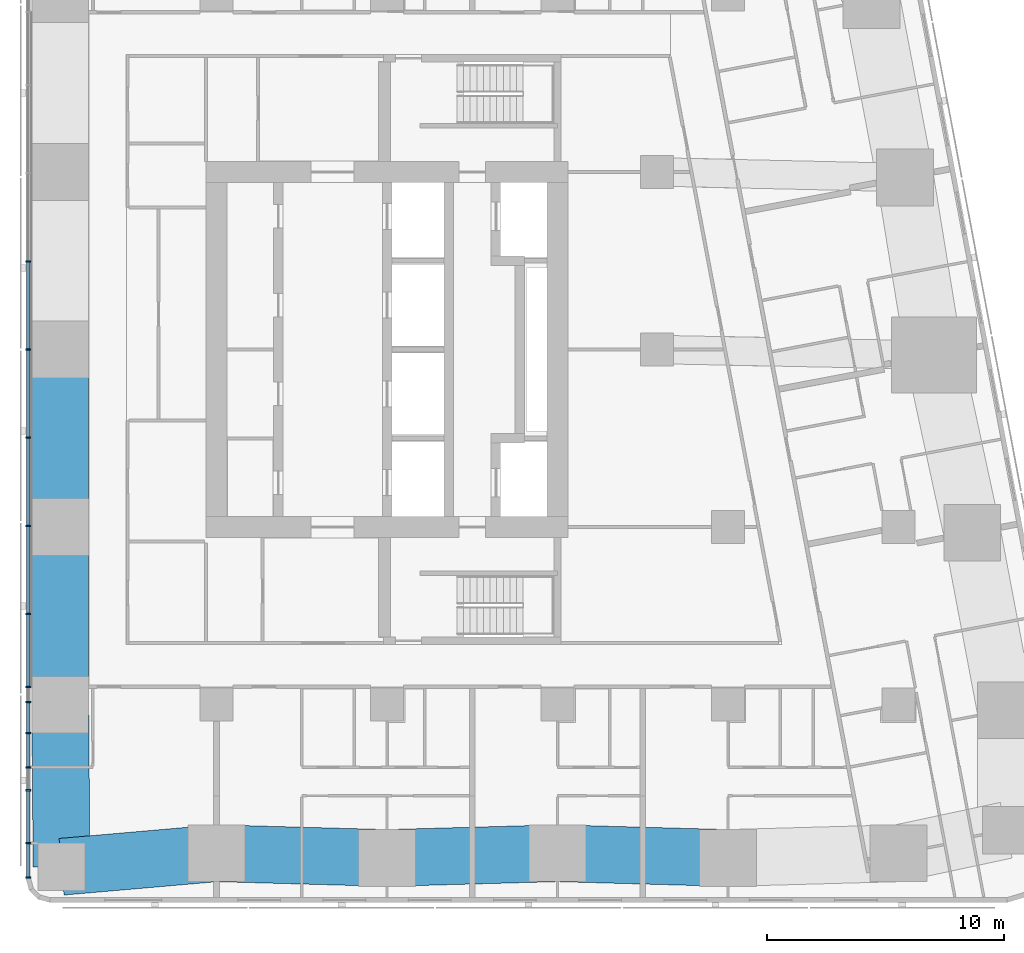
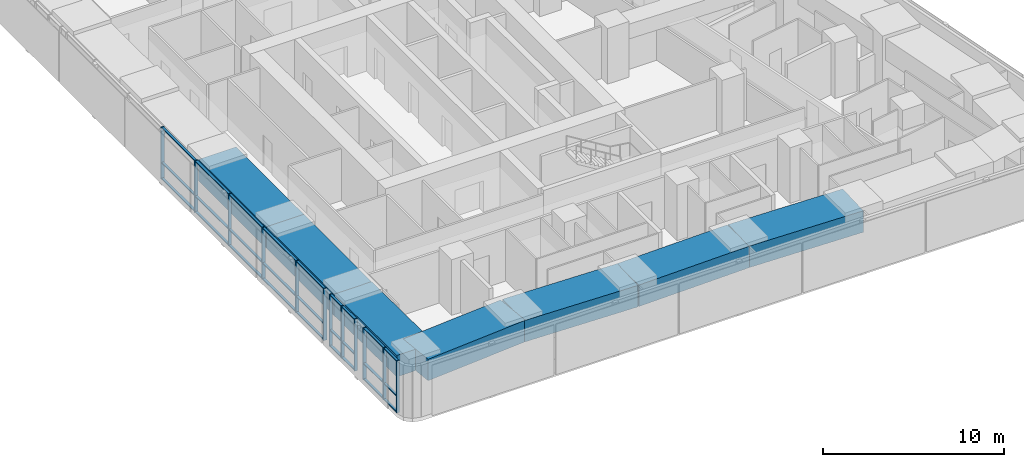
# One storey, part 2 of 19: 39 members, 7 beams, 1 element without a shape of its own.
"""IFC4 building model written with IfcOpenShell, lengths in metres."""

from ifc_helpers import new_model, si_unit, direction, frame, origin, origin_2d, place, context, subcontext, project, spatial, rectangle, extrude, material, material_profile, profile_set, type_object, element, aggregate, save


model = new_model("IFC4")

# Units and contexts
model_context = context("Model", 3, precision=1e-05, world=origin(), true_north=direction((0.0, 1.0)))
body_context = subcontext(model_context, "Body", "Model", "MODEL_VIEW")
ifc_project = project(units=[si_unit("LENGTHUNIT", "METRE"), si_unit("AREAUNIT", "SQUARE_METRE"), si_unit("VOLUMEUNIT", "CUBIC_METRE"), si_unit("PLANEANGLEUNIT", "RADIAN"), si_unit("MASSUNIT", "GRAM", prefix="KILO")], contexts=[model_context])

# Site, building, storey
site_placement = place(None, origin())
site = spatial("IfcSite", under=ifc_project, at=site_placement, CompositionType="ELEMENT")
building_placement = place(site_placement, origin())
building = spatial("IfcBuilding", under=site, at=building_placement, Name="Sheger Commons Tower", CompositionType="ELEMENT")
storey_placement = place(building_placement, frame((0.0, 0.0, 219.949951171875)))
storey = spatial("IfcBuildingStorey", under=building, at=storey_placement, Name="L56", CompositionType="ELEMENT", Elevation=219.949951171875)

# Curtain wall, members
ifc_material_1 = material(Name="Black aluminium curtain wall, dark tinted glazing", Category="aluminium")
curtain_wall_type = type_object("IfcCurtainWallType", Name="CURTAIN WALL CW4 GALLERY", PredefinedType="USERDEFINED", material=ifc_material_1)
curtain_wall_placement = place(storey_placement, origin())
curtain_wall = element("IfcCurtainWall", 1, at=curtain_wall_placement, inside=storey, type_object=curtain_wall_type, Name="Curtain Wall Cw4 Gallery W1 L56", ObjectType="UNITISED CURTAIN WALL", PredefinedType="USERDEFINED")
ifc_material_2 = material(Name="Black anodised aluminium", Category="aluminium")
ifc_material_profile_1 = material_profile(ifc_material_2, rectangle(XDim=0.199951171875, YDim=0.06494140625, at=origin_2d()), Name="AL 65x200")
ifc_profile_set_1 = profile_set([ifc_material_profile_1], Name="Black anodised aluminium")
member_type_1 = type_object("IfcMemberType", Name="MULLION AL 65x200", PredefinedType="MULLION", material=ifc_profile_set_1)
member_1_placement = place(storey_placement, frame((6.449951171875, 26.222900390625, 0.0), z_axis=(0.0, 0.0, 1.0), x_axis=(1.0, 0.0, 0.0)))
member_1 = element("IfcMember", 2, at=member_1_placement, type_object=member_type_1, Name="CW4 mullion 10", PredefinedType="MULLION", context=body_context, shape_type="SweptSolid", body=[
    extrude(rectangle(XDim=0.199951171875, YDim=0.06494140625, at=origin_2d()), origin(), (0.0, 0.0, 1.0), 3.5),
])
member_2_placement = place(storey_placement, frame((6.449951171875, 22.5, 0.0), z_axis=(0.0, 0.0, 1.0), x_axis=(1.0, 0.0, 0.0)))
member_2 = element("IfcMember", 3, at=member_2_placement, type_object=member_type_1, Name="CW4 mullion 11", PredefinedType="MULLION", context=body_context, shape_type="SweptSolid", body=[
    extrude(rectangle(XDim=0.199951171875, YDim=0.06494140625, at=origin_2d()), origin(), (0.0, 0.0, 1.0), 3.5),
])
member_3_placement = place(storey_placement, frame((6.449951171875, 18.777099609375, 0.0), z_axis=(0.0, 0.0, 1.0), x_axis=(1.0, 0.0, 0.0)))
member_3 = element("IfcMember", 4, at=member_3_placement, type_object=member_type_1, Name="CW4 mullion 12", PredefinedType="MULLION", context=body_context, shape_type="SweptSolid", body=[
    extrude(rectangle(XDim=0.199951171875, YDim=0.06494140625, at=origin_2d()), origin(), (0.0, 0.0, 1.0), 3.5),
])
member_4_placement = place(storey_placement, frame((6.449951171875, 15.053955078125, 0.0), z_axis=(0.0, 0.0, 1.0), x_axis=(1.0, 0.0, 0.0)))
member_4 = element("IfcMember", 5, at=member_4_placement, type_object=member_type_1, Name="CW4 mullion 13", PredefinedType="MULLION", context=body_context, shape_type="SweptSolid", body=[
    extrude(rectangle(XDim=0.199951171875, YDim=0.06494140625, at=origin_2d()), origin(), (0.0, 0.0, 1.0), 3.5),
])
member_5_placement = place(storey_placement, frame((6.449951171875, 11.3310546875, 0.0), z_axis=(0.0, 0.0, 1.0), x_axis=(1.0, 0.0, 0.0)))
member_5 = element("IfcMember", 6, at=member_5_placement, type_object=member_type_1, Name="CW4 mullion 14", PredefinedType="MULLION", context=body_context, shape_type="SweptSolid", body=[
    extrude(rectangle(XDim=0.199951171875, YDim=0.06494140625, at=origin_2d()), origin(), (0.0, 0.0, 1.0), 3.5),
])
member_6_placement = place(storey_placement, frame((6.449951171875, 8.25, 0.0), z_axis=(0.0, 0.0, 1.0), x_axis=(1.0, 0.0, 0.0)))
member_6 = element("IfcMember", 7, at=member_6_placement, type_object=member_type_1, Name="CW4 mullion 15", PredefinedType="MULLION", context=body_context, shape_type="SweptSolid", body=[
    extrude(rectangle(XDim=0.199951171875, YDim=0.06494140625, at=origin_2d()), origin(), (0.0, 0.0, 1.0), 3.5),
])
member_7_placement = place(storey_placement, frame((6.449951171875, 7.60888671875, 0.0), z_axis=(0.0, 0.0, 1.0), x_axis=(1.0, 0.0, 0.0)))
member_7 = element("IfcMember", 8, at=member_7_placement, type_object=member_type_1, Name="CW4 mullion 16", PredefinedType="MULLION", context=body_context, shape_type="SweptSolid", body=[
    extrude(rectangle(XDim=0.199951171875, YDim=0.06494140625, at=origin_2d()), origin(), (0.0, 0.0, 1.0), 3.5),
])
member_8_placement = place(storey_placement, frame((6.449951171875, 6.300048828125, 0.0), z_axis=(0.0, 0.0, 1.0), x_axis=(1.0, 0.0, 0.0)))
member_8 = element("IfcMember", 9, at=member_8_placement, type_object=member_type_1, Name="CW4 mullion 17", PredefinedType="MULLION", context=body_context, shape_type="SweptSolid", body=[
    extrude(rectangle(XDim=0.199951171875, YDim=0.06494140625, at=origin_2d()), origin(), (0.0, 0.0, 1.0), 3.5),
])
member_9_placement = place(storey_placement, frame((6.449951171875, 4.85009765625, 0.0), z_axis=(0.0, 0.0, 1.0), x_axis=(1.0, 0.0, 0.0)))
member_9 = element("IfcMember", 10, at=member_9_placement, type_object=member_type_1, Name="CW4 mullion 18", PredefinedType="MULLION", context=body_context, shape_type="SweptSolid", body=[
    extrude(rectangle(XDim=0.199951171875, YDim=0.06494140625, at=origin_2d()), origin(), (0.0, 0.0, 1.0), 3.5),
])
member_10_placement = place(storey_placement, frame((6.449951171875, 3.885986328125, 0.0), z_axis=(0.0, 0.0, 1.0), x_axis=(1.0, 0.0, 0.0)))
member_10 = element("IfcMember", 11, at=member_10_placement, type_object=member_type_1, Name="CW4 mullion 19", PredefinedType="MULLION", context=body_context, shape_type="SweptSolid", body=[
    extrude(rectangle(XDim=0.199951171875, YDim=0.06494140625, at=origin_2d()), origin(), (0.0, 0.0, 1.0), 3.5),
])
member_11_placement = place(storey_placement, frame((6.449951171875, 1.654052734375, 0.0), z_axis=(0.0, 0.0, 1.0), x_axis=(1.0, 0.0, 0.0)))
member_11 = element("IfcMember", 12, at=member_11_placement, type_object=member_type_1, Name="CW4 mullion 20", PredefinedType="MULLION", context=body_context, shape_type="SweptSolid", body=[
    extrude(rectangle(XDim=0.199951171875, YDim=0.06494140625, at=origin_2d()), origin(), (0.0, 0.0, 1.0), 3.5),
])
member_12_placement = place(storey_placement, frame((6.449951171875, 0.195556640625, 0.0), z_axis=(0.0, 0.0, 1.0), x_axis=(1.0, 0.0, 0.0)))
member_12 = element("IfcMember", 13, at=member_12_placement, type_object=member_type_1, Name="CW4 mullion 21", PredefinedType="MULLION", context=body_context, shape_type="SweptSolid", body=[
    extrude(rectangle(XDim=0.199951171875, YDim=0.06494140625, at=origin_2d()), origin(), (0.0, 0.0, 1.0), 3.5),
])

# Beams
ifc_material_3 = material(Name="Concrete C50/60", Category="concrete")
ifc_material_profile_2 = material_profile(ifc_material_3, rectangle(XDim=2.39990234375, YDim=1.449951171875, at=origin_2d()), Name="RC 2400x1450")
ifc_profile_set_2 = profile_set([ifc_material_profile_2], Name="Concrete C50/60")
beam_type = type_object("IfcBeamType", Name="SPANDREL RC 2400x1450", PredefinedType="SPANDREL", material=ifc_profile_set_2)
beam_1_placement = place(storey_placement, frame((7.85400390625, 0.654052734375, 2.775146484375), z_axis=(0.996216429799, 0.086906990501, 0.0), x_axis=(-0.086906990501, 0.996216429799, 0.0)))
element("IfcBeam", 14, at=beam_1_placement, inside=storey, type_object=beam_type, Name="Beam 2/A-3/A under L57", PredefinedType="SPANDREL", context=body_context, shape_type="SweptSolid", body=[
    extrude(rectangle(XDim=2.39990234375, YDim=1.449951171875, at=origin_2d()), origin(), (0.0, 0.0, 1.0), 6.57080078125),
])
beam_2_placement = place(storey_placement, frame((14.39990234375, 1.22509765625, 2.775146484375), z_axis=(0.999613688584, -0.027793409217, 0.0), x_axis=(0.027793409217, 0.999613688584, 0.0)))
element("IfcBeam", 15, at=beam_2_placement, inside=storey, type_object=beam_type, Name="Beam 3/A-4/A under L57", PredefinedType="SPANDREL", context=body_context, shape_type="SweptSolid", body=[
    extrude(rectangle(XDim=2.39990234375, YDim=1.449951171875, at=origin_2d()), origin(), (0.0, 0.0, 1.0), 7.202880859375),
])
for number, where, z_axis, x_axis, name in (
    (16, (21.60009765625, 1.02490234375, 2.775146484375), (0.9996136624, 0.027794350926, 0.0), (-0.027794350926, 0.9996136624, 0.0), "Beam 4/A-5/A under L57"),
    (17, (28.800048828125, 1.22509765625, 2.775146484375), (0.9996136624, -0.027794350926, 0.0), (0.027794350926, 0.9996136624, 0.0), "Beam 5/A-6/A under L57"),
):
    element("IfcBeam", number, at=place(storey_placement, frame(where, z_axis=z_axis, x_axis=x_axis)), inside=storey, type_object=beam_type, Name=name, PredefinedType="SPANDREL", context=body_context, shape_type="SweptSolid", body=[
        extrude(rectangle(XDim=2.39990234375, YDim=1.449951171875, at=origin_2d()), origin(), (0.0, 0.0, 1.0), 7.20263671875),
    ])
for number, where, z_axis, x_axis, name in (
    (18, (7.800048828125, 22.5, 2.775146484375), (0.0, -1.0, 0.0), (1.0, 0.0, 0.0), "Beam 2/D-2/C under L57"),
    (19, (7.800048828125, 15.0, 2.775146484375), (0.0, -1.0, 0.0), (1.0, 0.0, 0.0), "Beam 2/C-2/B under L57"),
):
    element("IfcBeam", number, at=place(storey_placement, frame(where, z_axis=z_axis, x_axis=x_axis)), inside=storey, type_object=beam_type, Name=name, PredefinedType="SPANDREL", context=body_context, shape_type="SweptSolid", body=[
        extrude(rectangle(XDim=2.39990234375, YDim=1.449951171875, at=origin_2d()), origin(), (0.0, 0.0, 1.0), 7.5),
    ])
beam_3_placement = place(storey_placement, frame((7.800048828125, 7.5, 2.775146484375), z_axis=(0.00788107188, -0.999968943871, 0.0), x_axis=(0.999968943871, 0.00788107188, 0.0)))
element("IfcBeam", 20, at=beam_3_placement, inside=storey, type_object=beam_type, Name="Beam 2/B-2/A under L57", PredefinedType="SPANDREL", context=body_context, shape_type="SweptSolid", body=[
    extrude(rectangle(XDim=2.39990234375, YDim=1.449951171875, at=origin_2d()), origin(), (0.0, 0.0, 1.0), 6.84619140625),
])

# Member
ifc_material_4 = material(Name="Black anodised aluminium", Category="aluminium")
ifc_material_profile_3 = material_profile(ifc_material_4, rectangle(XDim=0.14990234375, YDim=0.06494140625, at=origin_2d()), Name="AL 65x150")
ifc_profile_set_3 = profile_set([ifc_material_profile_3], Name="Black anodised aluminium")
member_type_2 = type_object("IfcMemberType", Name="TRANSOM AL 65x150", PredefinedType="USERDEFINED", material=ifc_profile_set_3)
member_13_placement = place(storey_placement, frame((6.449951171875, 26.1904296875, 0.032470703125), z_axis=(0.0, -1.0, 0.0), x_axis=(1.0, 0.0, 0.0)))
member_13 = element("IfcMember", 21, at=member_13_placement, type_object=member_type_2, Name="CW4 transom 10.1", ObjectType="TRANSOM", PredefinedType="USERDEFINED", context=body_context, shape_type="SweptSolid", body=[
    extrude(rectangle(XDim=0.14990234375, YDim=0.06494140625, at=origin_2d()), origin(), (0.0, 0.0, 1.0), 3.657958984375),
])

member_14_placement = place(storey_placement, frame((6.449951171875, 26.1904296875, 1.10009765625), z_axis=(0.0, -1.0, 0.0), x_axis=(1.0, 0.0, 0.0)))
member_14 = element("IfcMember", 22, at=member_14_placement, type_object=member_type_2, Name="CW4 transom 10.2", ObjectType="TRANSOM", PredefinedType="USERDEFINED", context=body_context, shape_type="SweptSolid", body=[
    extrude(rectangle(XDim=0.14990234375, YDim=0.06494140625, at=origin_2d()), origin(), (0.0, 0.0, 1.0), 3.657958984375),
])

member_15_placement = place(storey_placement, frame((6.449951171875, 26.1904296875, 3.467529296875), z_axis=(0.0, -1.0, 0.0), x_axis=(1.0, 0.0, 0.0)))
member_15 = element("IfcMember", 23, at=member_15_placement, type_object=member_type_2, Name="CW4 transom 10.3", ObjectType="TRANSOM", PredefinedType="USERDEFINED", context=body_context, shape_type="SweptSolid", body=[
    extrude(rectangle(XDim=0.14990234375, YDim=0.06494140625, at=origin_2d()), origin(), (0.0, 0.0, 1.0), 3.657958984375),
])

member_16_placement = place(storey_placement, frame((6.449951171875, 22.467529296875, 0.032470703125), z_axis=(0.0, -1.0, 0.0), x_axis=(1.0, 0.0, 0.0)))
member_16 = element("IfcMember", 24, at=member_16_placement, type_object=member_type_2, Name="CW4 transom 11.1", ObjectType="TRANSOM", PredefinedType="USERDEFINED", context=body_context, shape_type="SweptSolid", body=[
    extrude(rectangle(XDim=0.14990234375, YDim=0.06494140625, at=origin_2d()), origin(), (0.0, 0.0, 1.0), 3.657958984375),
])

member_17_placement = place(storey_placement, frame((6.449951171875, 22.467529296875, 1.10009765625), z_axis=(0.0, -1.0, 0.0), x_axis=(1.0, 0.0, 0.0)))
member_17 = element("IfcMember", 25, at=member_17_placement, type_object=member_type_2, Name="CW4 transom 11.2", ObjectType="TRANSOM", PredefinedType="USERDEFINED", context=body_context, shape_type="SweptSolid", body=[
    extrude(rectangle(XDim=0.14990234375, YDim=0.06494140625, at=origin_2d()), origin(), (0.0, 0.0, 1.0), 3.657958984375),
])

member_18_placement = place(storey_placement, frame((6.449951171875, 22.467529296875, 3.467529296875), z_axis=(0.0, -1.0, 0.0), x_axis=(1.0, 0.0, 0.0)))
member_18 = element("IfcMember", 26, at=member_18_placement, type_object=member_type_2, Name="CW4 transom 11.3", ObjectType="TRANSOM", PredefinedType="USERDEFINED", context=body_context, shape_type="SweptSolid", body=[
    extrude(rectangle(XDim=0.14990234375, YDim=0.06494140625, at=origin_2d()), origin(), (0.0, 0.0, 1.0), 3.657958984375),
])

member_19_placement = place(storey_placement, frame((6.449951171875, 18.744384765625, 0.032470703125), z_axis=(0.0, -1.0, 0.0), x_axis=(1.0, 0.0, 0.0)))
member_19 = element("IfcMember", 27, at=member_19_placement, type_object=member_type_2, Name="CW4 transom 12.1", ObjectType="TRANSOM", PredefinedType="USERDEFINED", context=body_context, shape_type="SweptSolid", body=[
    extrude(rectangle(XDim=0.14990234375, YDim=0.06494140625, at=origin_2d()), origin(), (0.0, 0.0, 1.0), 3.657958984375),
])

member_20_placement = place(storey_placement, frame((6.449951171875, 18.744384765625, 1.10009765625), z_axis=(0.0, -1.0, 0.0), x_axis=(1.0, 0.0, 0.0)))
member_20 = element("IfcMember", 28, at=member_20_placement, type_object=member_type_2, Name="CW4 transom 12.2", ObjectType="TRANSOM", PredefinedType="USERDEFINED", context=body_context, shape_type="SweptSolid", body=[
    extrude(rectangle(XDim=0.14990234375, YDim=0.06494140625, at=origin_2d()), origin(), (0.0, 0.0, 1.0), 3.657958984375),
])

member_21_placement = place(storey_placement, frame((6.449951171875, 18.744384765625, 3.467529296875), z_axis=(0.0, -1.0, 0.0), x_axis=(1.0, 0.0, 0.0)))
member_21 = element("IfcMember", 29, at=member_21_placement, type_object=member_type_2, Name="CW4 transom 12.3", ObjectType="TRANSOM", PredefinedType="USERDEFINED", context=body_context, shape_type="SweptSolid", body=[
    extrude(rectangle(XDim=0.14990234375, YDim=0.06494140625, at=origin_2d()), origin(), (0.0, 0.0, 1.0), 3.657958984375),
])

member_22_placement = place(storey_placement, frame((6.449951171875, 15.021484375, 0.032470703125), z_axis=(0.0, -1.0, 0.0), x_axis=(1.0, 0.0, 0.0)))
member_22 = element("IfcMember", 30, at=member_22_placement, type_object=member_type_2, Name="CW4 transom 13.1", ObjectType="TRANSOM", PredefinedType="USERDEFINED", context=body_context, shape_type="SweptSolid", body=[
    extrude(rectangle(XDim=0.14990234375, YDim=0.06494140625, at=origin_2d()), origin(), (0.0, 0.0, 1.0), 3.657958984375),
])

member_23_placement = place(storey_placement, frame((6.449951171875, 15.021484375, 1.10009765625), z_axis=(0.0, -1.0, 0.0), x_axis=(1.0, 0.0, 0.0)))
member_23 = element("IfcMember", 31, at=member_23_placement, type_object=member_type_2, Name="CW4 transom 13.2", ObjectType="TRANSOM", PredefinedType="USERDEFINED", context=body_context, shape_type="SweptSolid", body=[
    extrude(rectangle(XDim=0.14990234375, YDim=0.06494140625, at=origin_2d()), origin(), (0.0, 0.0, 1.0), 3.657958984375),
])

member_24_placement = place(storey_placement, frame((6.449951171875, 15.021484375, 3.467529296875), z_axis=(0.0, -1.0, 0.0), x_axis=(1.0, 0.0, 0.0)))
member_24 = element("IfcMember", 32, at=member_24_placement, type_object=member_type_2, Name="CW4 transom 13.3", ObjectType="TRANSOM", PredefinedType="USERDEFINED", context=body_context, shape_type="SweptSolid", body=[
    extrude(rectangle(XDim=0.14990234375, YDim=0.06494140625, at=origin_2d()), origin(), (0.0, 0.0, 1.0), 3.657958984375),
])

member_25_placement = place(storey_placement, frame((6.449951171875, 11.298583984375, 0.032470703125), z_axis=(0.0, -1.0, 0.0), x_axis=(1.0, 0.0, 0.0)))
member_25 = element("IfcMember", 33, at=member_25_placement, type_object=member_type_2, Name="CW4 transom 14.1", ObjectType="TRANSOM", PredefinedType="USERDEFINED", context=body_context, shape_type="SweptSolid", body=[
    extrude(rectangle(XDim=0.14990234375, YDim=0.06494140625, at=origin_2d()), origin(), (0.0, 0.0, 1.0), 3.01611328125),
])

member_26_placement = place(storey_placement, frame((6.449951171875, 11.298583984375, 1.10009765625), z_axis=(0.0, -1.0, 0.0), x_axis=(1.0, 0.0, 0.0)))
member_26 = element("IfcMember", 34, at=member_26_placement, type_object=member_type_2, Name="CW4 transom 14.2", ObjectType="TRANSOM", PredefinedType="USERDEFINED", context=body_context, shape_type="SweptSolid", body=[
    extrude(rectangle(XDim=0.14990234375, YDim=0.06494140625, at=origin_2d()), origin(), (0.0, 0.0, 1.0), 3.01611328125),
])

member_27_placement = place(storey_placement, frame((6.449951171875, 11.298583984375, 3.467529296875), z_axis=(0.0, -1.0, 0.0), x_axis=(1.0, 0.0, 0.0)))
member_27 = element("IfcMember", 35, at=member_27_placement, type_object=member_type_2, Name="CW4 transom 14.3", ObjectType="TRANSOM", PredefinedType="USERDEFINED", context=body_context, shape_type="SweptSolid", body=[
    extrude(rectangle(XDim=0.14990234375, YDim=0.06494140625, at=origin_2d()), origin(), (0.0, 0.0, 1.0), 3.01611328125),
])

member_28_placement = place(storey_placement, frame((6.449951171875, 7.576416015625, 0.032470703125), z_axis=(0.0, -1.0, 0.0), x_axis=(1.0, 0.0, 0.0)))
member_28 = element("IfcMember", 36, at=member_28_placement, type_object=member_type_2, Name="CW4 transom 16.1", ObjectType="TRANSOM", PredefinedType="USERDEFINED", context=body_context, shape_type="SweptSolid", body=[
    extrude(rectangle(XDim=0.14990234375, YDim=0.06494140625, at=origin_2d()), origin(), (0.0, 0.0, 1.0), 1.243896484375),
])

member_29_placement = place(storey_placement, frame((6.449951171875, 7.576416015625, 1.10009765625), z_axis=(0.0, -1.0, 0.0), x_axis=(1.0, 0.0, 0.0)))
member_29 = element("IfcMember", 37, at=member_29_placement, type_object=member_type_2, Name="CW4 transom 16.2", ObjectType="TRANSOM", PredefinedType="USERDEFINED", context=body_context, shape_type="SweptSolid", body=[
    extrude(rectangle(XDim=0.14990234375, YDim=0.06494140625, at=origin_2d()), origin(), (0.0, 0.0, 1.0), 1.243896484375),
])

member_30_placement = place(storey_placement, frame((6.449951171875, 7.576416015625, 3.467529296875), z_axis=(0.0, -1.0, 0.0), x_axis=(1.0, 0.0, 0.0)))
member_30 = element("IfcMember", 38, at=member_30_placement, type_object=member_type_2, Name="CW4 transom 16.3", ObjectType="TRANSOM", PredefinedType="USERDEFINED", context=body_context, shape_type="SweptSolid", body=[
    extrude(rectangle(XDim=0.14990234375, YDim=0.06494140625, at=origin_2d()), origin(), (0.0, 0.0, 1.0), 1.243896484375),
])

member_31_placement = place(storey_placement, frame((6.449951171875, 6.267578125, 0.032470703125), z_axis=(0.0, -1.0, 0.0), x_axis=(1.0, 0.0, 0.0)))
member_31 = element("IfcMember", 39, at=member_31_placement, type_object=member_type_2, Name="CW4 transom 17.1", ObjectType="TRANSOM", PredefinedType="USERDEFINED", context=body_context, shape_type="SweptSolid", body=[
    extrude(rectangle(XDim=0.14990234375, YDim=0.06494140625, at=origin_2d()), origin(), (0.0, 0.0, 1.0), 1.385009765625),
])

member_32_placement = place(storey_placement, frame((6.449951171875, 6.267578125, 1.10009765625), z_axis=(0.0, -1.0, 0.0), x_axis=(1.0, 0.0, 0.0)))
member_32 = element("IfcMember", 40, at=member_32_placement, type_object=member_type_2, Name="CW4 transom 17.2", ObjectType="TRANSOM", PredefinedType="USERDEFINED", context=body_context, shape_type="SweptSolid", body=[
    extrude(rectangle(XDim=0.14990234375, YDim=0.06494140625, at=origin_2d()), origin(), (0.0, 0.0, 1.0), 1.385009765625),
])

member_33_placement = place(storey_placement, frame((6.449951171875, 6.267578125, 3.467529296875), z_axis=(0.0, -1.0, 0.0), x_axis=(1.0, 0.0, 0.0)))
member_33 = element("IfcMember", 41, at=member_33_placement, type_object=member_type_2, Name="CW4 transom 17.3", ObjectType="TRANSOM", PredefinedType="USERDEFINED", context=body_context, shape_type="SweptSolid", body=[
    extrude(rectangle(XDim=0.14990234375, YDim=0.06494140625, at=origin_2d()), origin(), (0.0, 0.0, 1.0), 1.385009765625),
])

member_34_placement = place(storey_placement, frame((6.449951171875, 3.853515625, 0.032470703125), z_axis=(0.0, -1.0, 0.0), x_axis=(1.0, 0.0, 0.0)))
member_34 = element("IfcMember", 42, at=member_34_placement, type_object=member_type_2, Name="CW4 transom 19.1", ObjectType="TRANSOM", PredefinedType="USERDEFINED", context=body_context, shape_type="SweptSolid", body=[
    extrude(rectangle(XDim=0.14990234375, YDim=0.06494140625, at=origin_2d()), origin(), (0.0, 0.0, 1.0), 2.1669921875),
])

member_35_placement = place(storey_placement, frame((6.449951171875, 3.853515625, 1.10009765625), z_axis=(0.0, -1.0, 0.0), x_axis=(1.0, 0.0, 0.0)))
member_35 = element("IfcMember", 43, at=member_35_placement, type_object=member_type_2, Name="CW4 transom 19.2", ObjectType="TRANSOM", PredefinedType="USERDEFINED", context=body_context, shape_type="SweptSolid", body=[
    extrude(rectangle(XDim=0.14990234375, YDim=0.06494140625, at=origin_2d()), origin(), (0.0, 0.0, 1.0), 2.1669921875),
])

member_36_placement = place(storey_placement, frame((6.449951171875, 3.853515625, 3.467529296875), z_axis=(0.0, -1.0, 0.0), x_axis=(1.0, 0.0, 0.0)))
member_36 = element("IfcMember", 44, at=member_36_placement, type_object=member_type_2, Name="CW4 transom 19.3", ObjectType="TRANSOM", PredefinedType="USERDEFINED", context=body_context, shape_type="SweptSolid", body=[
    extrude(rectangle(XDim=0.14990234375, YDim=0.06494140625, at=origin_2d()), origin(), (0.0, 0.0, 1.0), 2.1669921875),
])

member_37_placement = place(storey_placement, frame((6.449951171875, 1.62158203125, 0.032470703125), z_axis=(0.0, -1.0, 0.0), x_axis=(1.0, 0.0, 0.0)))
member_37 = element("IfcMember", 45, at=member_37_placement, type_object=member_type_2, Name="CW4 transom 20.1", ObjectType="TRANSOM", PredefinedType="USERDEFINED", context=body_context, shape_type="SweptSolid", body=[
    extrude(rectangle(XDim=0.14990234375, YDim=0.06494140625, at=origin_2d()), origin(), (0.0, 0.0, 1.0), 1.3935546875),
])

member_38_placement = place(storey_placement, frame((6.449951171875, 1.62158203125, 1.10009765625), z_axis=(0.0, -1.0, 0.0), x_axis=(1.0, 0.0, 0.0)))
member_38 = element("IfcMember", 46, at=member_38_placement, type_object=member_type_2, Name="CW4 transom 20.2", ObjectType="TRANSOM", PredefinedType="USERDEFINED", context=body_context, shape_type="SweptSolid", body=[
    extrude(rectangle(XDim=0.14990234375, YDim=0.06494140625, at=origin_2d()), origin(), (0.0, 0.0, 1.0), 1.3935546875),
])

member_39_placement = place(storey_placement, frame((6.449951171875, 1.62158203125, 3.467529296875), z_axis=(0.0, -1.0, 0.0), x_axis=(1.0, 0.0, 0.0)))
member_39 = element("IfcMember", 47, at=member_39_placement, type_object=member_type_2, Name="CW4 transom 20.3", ObjectType="TRANSOM", PredefinedType="USERDEFINED", context=body_context, shape_type="SweptSolid", body=[
    extrude(rectangle(XDim=0.14990234375, YDim=0.06494140625, at=origin_2d()), origin(), (0.0, 0.0, 1.0), 1.3935546875),
])

aggregate(curtain_wall, [member_1, member_2, member_3, member_4, member_5, member_6, member_7, member_8, member_9, member_10, member_11, member_12, member_13, member_14, member_15, member_16, member_17, member_18, member_19, member_20, member_21, member_22, member_23, member_24, member_25, member_26, member_27, member_28, member_29, member_30, member_31, member_32, member_33, member_34, member_35, member_36, member_37, member_38, member_39])

save(model, "model.ifc")
